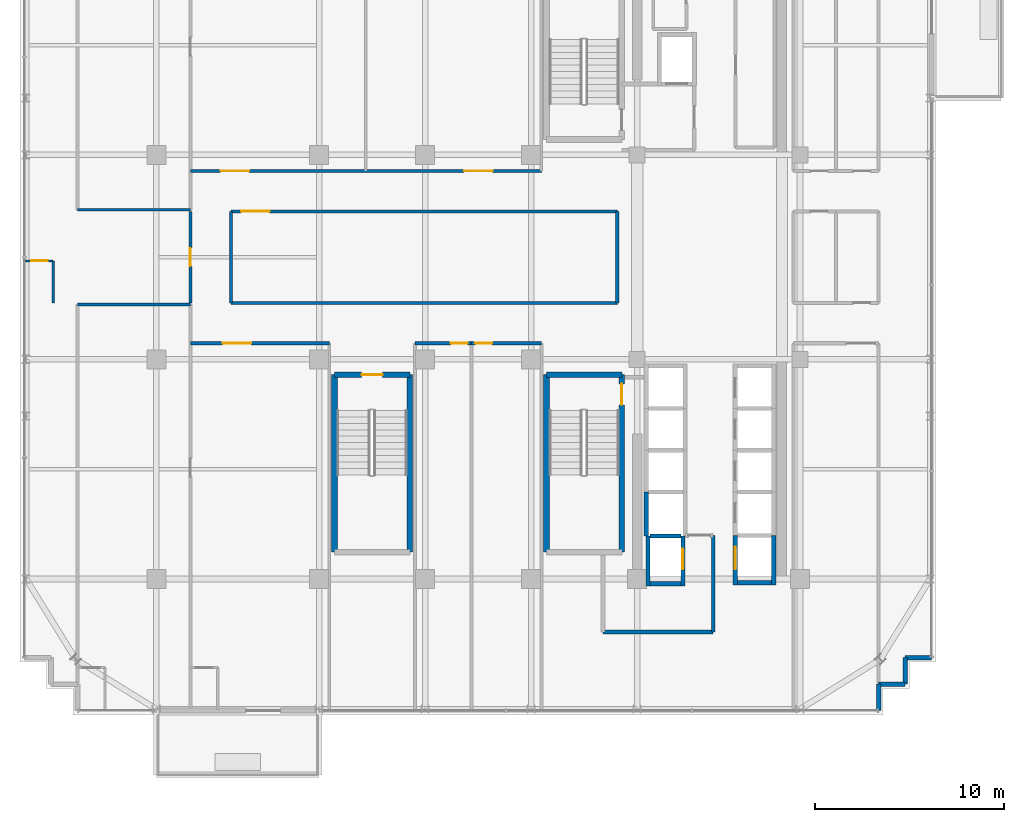
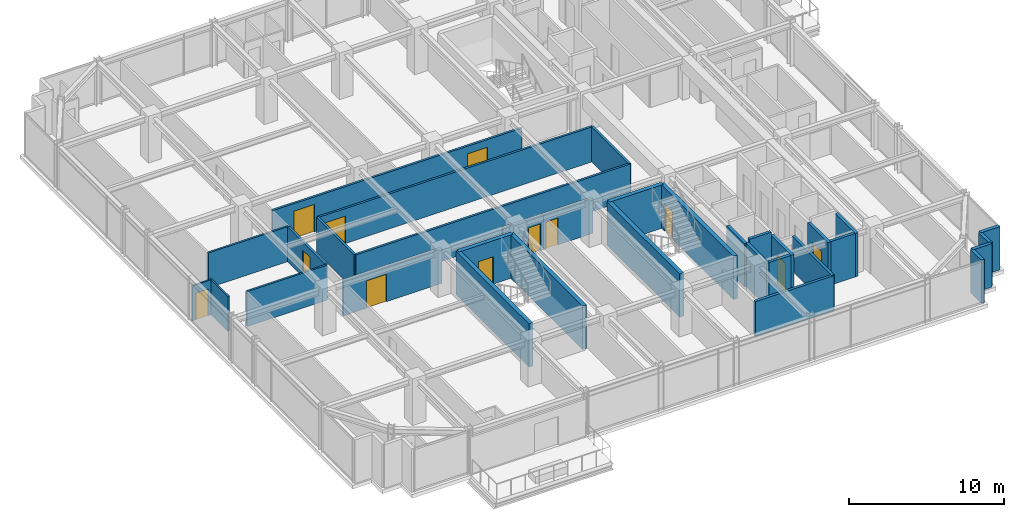
# One storey, part 28 of 34: 33 walls, 12 doors, 12 openings.
"""IFC4 building model written with IfcOpenShell, lengths in metres."""

from ifc_helpers import new_model, si_unit, direction, frame, frame_2d, origin, place, context, subcontext, project, spatial, rectangle, extrude, source, transform, mapped, material, layer, layer_set, type_object, element, fill, save


model = new_model("IFC4")

# Units and contexts
model_context = context("Model", 3, precision=1e-05, world=origin(), true_north=direction((0.0, 1.0)))
body_context = subcontext(model_context, "Body", "Model", "MODEL_VIEW")
ifc_project = project(units=[si_unit("LENGTHUNIT", "METRE"), si_unit("AREAUNIT", "SQUARE_METRE"), si_unit("VOLUMEUNIT", "CUBIC_METRE"), si_unit("PLANEANGLEUNIT", "RADIAN"), si_unit("MASSUNIT", "GRAM", prefix="KILO")], contexts=[model_context])

# Site, building, storey
site_placement = place(None, origin())
site = spatial("IfcSite", under=ifc_project, at=site_placement, CompositionType="ELEMENT")
building_placement = place(site_placement, origin())
building = spatial("IfcBuilding", under=site, at=building_placement, Name="Nahalor Promenade Grand Hotel", CompositionType="ELEMENT")
storey_placement = place(building_placement, frame((0.0, 0.0, 238.199951171875)))
storey = spatial("IfcBuildingStorey", under=building, at=storey_placement, Name="L61", CompositionType="ELEMENT", Elevation=238.199951171875)

# Wall
ifc_material_1 = material(Name="Concrete B-50 (C40/50)", Category="concrete")
ifc_layer_1 = layer(ifc_material_1, 0.300048828125)
ifc_layer_set_1 = layer_set([ifc_layer_1], Name="Concrete B-50 (C40/50)")
wall_type_1 = type_object("IfcWallType", Name="Wall-ShaftShear-300", PredefinedType="SHEAR", material=ifc_layer_set_1)
shared_shape_1 = source(origin(), body_context, "Body", "SweptSolid", [
    extrude(rectangle(XDim=3.97998046875, YDim=0.300048828125, at=frame_2d((1.989990234375, 0.0))), origin(), (0.0, 0.0, 1.0), 3.41015625),
])
wall_1_placement = place(storey_placement, frame((3.610107421875, -6.2099609375, 0.0), z_axis=(0.0, 0.0, 1.0), x_axis=(1.0, 0.0, 0.0)))
element("IfcWall", 1, at=wall_1_placement, inside=storey, type_object=wall_type_1, Name="L61 Exit Stair ST2 Shaft Wall N", PredefinedType="SHEAR", context=body_context, shape_type="MappedRepresentation", body=[
    mapped(shared_shape_1, transform((0.0, 0.0, 0.0), scale=1.0)),
])

# Wall, opening, door
wall_2_placement = place(storey_placement, frame((-7.590087890625, -6.2099609375, 0.0), z_axis=(0.0, 0.0, 1.0), x_axis=(1.0, 0.0, 0.0)))
wall_2 = element("IfcWall", 2, at=wall_2_placement, inside=storey, type_object=wall_type_1, Name="L61 Exit Stair ST3 Shaft Wall N", PredefinedType="SHEAR", context=body_context, shape_type="MappedRepresentation", body=[
    mapped(shared_shape_1, transform((0.0, 0.0, 0.0), scale=1.0)),
])
opening_1_placement = place(wall_2_placement, frame((1.43994140625, 0.0, 0.0)))
opening_1 = element("IfcOpeningElement", 3, at=opening_1_placement, cuts=wall_2, Name="Opening D-ST1", PredefinedType="OPENING", context=body_context, shape_type="SweptSolid", body=[
    extrude(rectangle(XDim=1.10009765625, YDim=2.14990234375, at=frame_2d((0.550048828125, 1.074951171875))), frame((0.0, 0.159912109375, 0.0), z_axis=(0.0, -1.0, 0.0), x_axis=(1.0, 0.0, 0.0)), (0.0, 0.0, 1.0), 0.320068359375),
])
ifc_material_2 = material(Name="Steel S355JR", Category="steel")
door_type_1 = type_object("IfcDoorType", Name="Door-StairFire-1100", OperationType="NOTDEFINED", PredefinedType="DOOR", material=ifc_material_2)
shared_shape_2 = source(origin(), body_context, "Body", "SweptSolid", [
    extrude(rectangle(XDim=1.10009765625, YDim=2.14990234375, at=frame_2d((0.550048828125, 1.074951171875))), frame((0.0, 0.02490234375, 0.0), z_axis=(0.0, -1.0, 0.0), x_axis=(1.0, 0.0, 0.0)), (0.0, 0.0, 1.0), 0.050048828125),
])
door_1_placement = place(opening_1_placement, frame((1.10009765625, 0.0, 0.0), z_axis=(0.0, 0.0, 1.0), x_axis=(-1.0, 0.0, 0.0)))
door_1 = element("IfcDoor", 4, at=door_1_placement, inside=storey, type_object=door_type_1, Name="DR-STAIR-ST3-L61", OperationType="SINGLE_SWING_RIGHT", OverallHeight=2.14990234375, OverallWidth=1.10009765625, PredefinedType="DOOR", context=body_context, shape_type="MappedRepresentation", body=[
    mapped(shared_shape_2, transform((0.0, 0.0, 0.0), scale=1.0)),
])
fill(opening_1, door_1)

# Wall
shared_shape_3 = source(origin(), body_context, "Body", "SweptSolid", [
    extrude(rectangle(XDim=9.380126953125, YDim=0.300048828125, at=frame_2d((4.68994140625, 0.0))), origin(), (0.0, 0.0, 1.0), 3.41015625),
])
wall_3_placement = place(storey_placement, frame((3.610107421875, -15.590087890625, 0.0), z_axis=(0.0, 0.0, 1.0), x_axis=(0.0, 1.0, 0.0)))
element("IfcWall", 5, at=wall_3_placement, inside=storey, type_object=wall_type_1, Name="L61 Exit Stair ST2 Shaft Wall W", PredefinedType="SHEAR", context=body_context, shape_type="MappedRepresentation", body=[
    mapped(shared_shape_3, transform((0.0, 0.0, 0.0), scale=1.0)),
])

# Wall, opening, door
wall_4_placement = place(storey_placement, frame((7.590087890625, -15.590087890625, 0.0), z_axis=(0.0, 0.0, 1.0), x_axis=(0.0, 1.0, 0.0)))
wall_4 = element("IfcWall", 6, at=wall_4_placement, inside=storey, type_object=wall_type_1, Name="L61 Exit Stair ST2 Shaft Wall E", PredefinedType="SHEAR", context=body_context, shape_type="MappedRepresentation", body=[
    mapped(shared_shape_3, transform((0.0, 0.0, 0.0), scale=1.0)),
])
opening_2_placement = place(wall_4_placement, frame((7.7900390625, 0.0, 0.0)))
opening_2 = element("IfcOpeningElement", 7, at=opening_2_placement, cuts=wall_4, Name="Opening D-ST1", PredefinedType="OPENING", context=body_context, shape_type="SweptSolid", body=[
    extrude(rectangle(XDim=1.10009765625, YDim=2.14990234375, at=frame_2d((0.550048828125, 1.074951171875))), frame((0.0, 0.159912109375, 0.0), z_axis=(0.0, -1.0, 0.0), x_axis=(1.0, 0.0, 0.0)), (0.0, 0.0, 1.0), 0.320068359375),
])
door_2_placement = place(opening_2_placement, origin())
door_2 = element("IfcDoor", 8, at=door_2_placement, inside=storey, type_object=door_type_1, Name="DR-STAIR-ST2-L61", OperationType="SINGLE_SWING_RIGHT", OverallHeight=2.14990234375, OverallWidth=1.10009765625, PredefinedType="DOOR", context=body_context, shape_type="MappedRepresentation", body=[
    mapped(shared_shape_2, transform((0.0, 0.0, 0.0), scale=1.0)),
])
fill(opening_2, door_2)

# Walls
for number, where, z_axis, x_axis, name in (
    (9, (-7.590087890625, -15.590087890625, 0.0), (0.0, 0.0, 1.0), (0.0, 1.0, 0.0), "L61 Exit Stair ST3 Shaft Wall W"),
    (10, (-3.610107421875, -15.590087890625, 0.0), (0.0, 0.0, 1.0), (0.0, 1.0, 0.0), "L61 Exit Stair ST3 Shaft Wall E"),
):
    element("IfcWall", number, at=place(storey_placement, frame(where, z_axis=z_axis, x_axis=x_axis)), inside=storey, type_object=wall_type_1, Name=name, PredefinedType="SHEAR", context=body_context, shape_type="MappedRepresentation", body=[
        mapped(shared_shape_3, transform((0.0, 0.0, 0.0), scale=1.0)),
    ])
ifc_layer_2 = layer(ifc_material_1, 0.219970703125)
ifc_layer_set_2 = layer_set([ifc_layer_2], Name="Concrete B-50 (C40/50)")
wall_type_2 = type_object("IfcWallType", Name="Wall-LiftShaft-220", PredefinedType="SHEAR", material=ifc_layer_set_2)
shared_shape_4 = source(origin(), body_context, "Body", "SweptSolid", [
    extrude(rectangle(XDim=1.820068359375, YDim=0.219970703125, at=frame_2d((0.91015625, 0.0))), origin(), (0.0, 0.0, 1.0), 3.41015625),
])
wall_5_placement = place(storey_placement, frame((13.68994140625, -17.199951171875, 0.0), z_axis=(0.0, 0.0, 1.0), x_axis=(1.0, 0.0, 0.0)))
element("IfcWall", 11, at=wall_5_placement, inside=storey, type_object=wall_type_2, Name="L61 Lift SV2 Hoistway Wall S", PredefinedType="SHEAR", context=body_context, shape_type="MappedRepresentation", body=[
    mapped(shared_shape_4, transform((0.0, 0.0, 0.0), scale=1.0)),
])
shared_shape_5 = source(origin(), body_context, "Body", "SweptSolid", [
    extrude(rectangle(XDim=2.3251953125, YDim=0.219970703125, at=frame_2d((1.16259765625, 0.0))), origin(), (0.0, 0.0, 1.0), 3.41015625),
])
wall_6_placement = place(storey_placement, frame((8.8798828125, -14.72509765625, 0.0), z_axis=(0.0, 0.0, 1.0), x_axis=(0.0, 1.0, 0.0)))
element("IfcWall", 12, at=wall_6_placement, inside=storey, type_object=wall_type_2, Name="L61 Lift PL12 Hoistway Wall W", PredefinedType="SHEAR", context=body_context, shape_type="MappedRepresentation", body=[
    mapped(shared_shape_5, transform((0.0, 0.0, 0.0), scale=1.0)),
])
shared_shape_6 = source(origin(), body_context, "Body", "SweptSolid", [
    extrude(rectangle(XDim=2.635009765625, YDim=0.219970703125, at=frame_2d((1.3173828125, 0.0))), origin(), (0.0, 0.0, 1.0), 3.41015625),
])
wall_7_placement = place(storey_placement, frame((8.97998046875, -17.360107421875, 0.0), z_axis=(0.0, 0.0, 1.0), x_axis=(0.0, 1.0, 0.0)))
element("IfcWall", 13, at=wall_7_placement, inside=storey, type_object=wall_type_2, Name="L61 Lift FL2 Hoistway Wall W", PredefinedType="SHEAR", context=body_context, shape_type="MappedRepresentation", body=[
    mapped(shared_shape_6, transform((0.0, 0.0, 0.0), scale=1.0)),
])

# Wall, opening, door
wall_8_placement = place(storey_placement, frame((10.820068359375, -17.360107421875, 0.0), z_axis=(0.0, 0.0, 1.0), x_axis=(0.0, 1.0, 0.0)))
wall_8 = element("IfcWall", 14, at=wall_8_placement, inside=storey, type_object=wall_type_2, Name="L61 Lift FL2 Hoistway Wall E", PredefinedType="SHEAR", context=body_context, shape_type="MappedRepresentation", body=[
    mapped(shared_shape_6, transform((0.0, 0.0, 0.0), scale=1.0)),
])
opening_3_placement = place(wall_8_placement, frame((0.860107421875, 0.0, 0.0)))
opening_3 = element("IfcOpeningElement", 15, at=opening_3_placement, cuts=wall_8, Name="Opening LD-02", PredefinedType="OPENING", context=body_context, shape_type="SweptSolid", body=[
    extrude(rectangle(XDim=1.10009765625, YDim=2.199951171875, at=frame_2d((0.550048828125, 1.10009765625))), frame((0.0, 0.119873046875, 0.0), z_axis=(0.0, -1.0, 0.0), x_axis=(1.0, 0.0, 0.0)), (0.0, 0.0, 1.0), 0.239990234375),
])
door_type_2 = type_object("IfcDoorType", Name="Door-LiftFF-1100", OperationType="DOUBLE_DOOR_SLIDING", PredefinedType="DOOR", material=ifc_material_2)
shared_shape_7 = source(origin(), body_context, "Body", "SweptSolid", [
    extrude(rectangle(XDim=1.10009765625, YDim=2.199951171875, at=frame_2d((0.550048828125, 1.10009765625))), frame((0.0, 0.02490234375, 0.0), z_axis=(0.0, -1.0, 0.0), x_axis=(1.0, 0.0, 0.0)), (0.0, 0.0, 1.0), 0.050048828125),
])
door_3_placement = place(opening_3_placement, frame((1.10009765625, 0.0, 0.0), z_axis=(0.0, 0.0, 1.0), x_axis=(-1.0, 0.0, 0.0)))
door_3 = element("IfcDoor", 16, at=door_3_placement, inside=storey, type_object=door_type_2, Name="DR-LIFT-FL2-L61", OperationType="DOUBLE_DOOR_SLIDING", OverallHeight=2.199951171875, OverallWidth=1.10009765625, PredefinedType="DOOR", context=body_context, shape_type="MappedRepresentation", body=[
    mapped(shared_shape_7, transform((0.0, 0.0, 0.0), scale=1.0)),
])
fill(opening_3, door_3)

# Walls
shared_shape_8 = source(origin(), body_context, "Body", "SweptSolid", [
    extrude(rectangle(XDim=1.619873046875, YDim=0.219970703125, at=frame_2d((0.81005859375, 0.0))), origin(), (0.0, 0.0, 1.0), 3.41015625),
])
wall_9_placement = place(storey_placement, frame((9.090087890625, -17.25, 0.0), z_axis=(0.0, 0.0, 1.0), x_axis=(1.0, 0.0, 0.0)))
element("IfcWall", 17, at=wall_9_placement, inside=storey, type_object=wall_type_2, Name="L61 Lift FL2 Hoistway Wall S", PredefinedType="SHEAR", context=body_context, shape_type="MappedRepresentation", body=[
    mapped(shared_shape_8, transform((0.0, 0.0, 0.0), scale=1.0)),
])
shared_shape_9 = source(origin(), body_context, "Body", "SweptSolid", [
    extrude(rectangle(XDim=1.619873046875, YDim=0.219970703125, at=frame_2d((0.81005859375, 0.0))), origin(), (0.0, 0.0, 1.0), 3.699951171875),
])
wall_10_placement = place(storey_placement, frame((9.090087890625, -14.72509765625, 0.0), z_axis=(0.0, 0.0, 1.0), x_axis=(1.0, 0.0, 0.0)))
element("IfcWall", 18, at=wall_10_placement, inside=storey, type_object=wall_type_2, Name="L61 Lift FL2 Hoistway Wall N", PredefinedType="SHEAR", context=body_context, shape_type="MappedRepresentation", body=[
    mapped(shared_shape_9, transform((0.0, 0.0, 0.0), scale=1.0)),
])

# Wall, opening, door
shared_shape_10 = source(origin(), body_context, "Body", "SweptSolid", [
    extrude(rectangle(XDim=2.610107421875, YDim=0.219970703125, at=frame_2d((1.30517578125, 0.0))), origin(), (0.0, 0.0, 1.0), 3.41015625),
])
wall_11_placement = place(storey_placement, frame((13.580078125, -17.31005859375, 0.0), z_axis=(0.0, 0.0, 1.0), x_axis=(0.0, 1.0, 0.0)))
wall_11 = element("IfcWall", 19, at=wall_11_placement, inside=storey, type_object=wall_type_2, Name="L61 Lift SV2 Hoistway Wall W", PredefinedType="SHEAR", context=body_context, shape_type="MappedRepresentation", body=[
    mapped(shared_shape_10, transform((0.0, 0.0, 0.0), scale=1.0)),
])
opening_4_placement = place(wall_11_placement, frame((0.81005859375, 0.0, 0.0)))
opening_4 = element("IfcOpeningElement", 20, at=opening_4_placement, cuts=wall_11, Name="Opening LD-03", PredefinedType="OPENING", context=body_context, shape_type="SweptSolid", body=[
    extrude(rectangle(XDim=1.199951171875, YDim=2.199951171875, at=frame_2d((0.60009765625, 1.10009765625))), frame((0.0, 0.119873046875, 0.0), z_axis=(0.0, -1.0, 0.0), x_axis=(1.0, 0.0, 0.0)), (0.0, 0.0, 1.0), 0.239990234375),
])
door_type_3 = type_object("IfcDoorType", Name="Door-LiftService-1200", OperationType="DOUBLE_DOOR_SLIDING", PredefinedType="DOOR", material=ifc_material_2)
shared_shape_11 = source(origin(), body_context, "Body", "SweptSolid", [
    extrude(rectangle(XDim=1.199951171875, YDim=2.199951171875, at=frame_2d((0.60009765625, 1.10009765625))), frame((0.0, 0.02490234375, 0.0), z_axis=(0.0, -1.0, 0.0), x_axis=(1.0, 0.0, 0.0)), (0.0, 0.0, 1.0), 0.050048828125),
])
door_4_placement = place(opening_4_placement, origin())
door_4 = element("IfcDoor", 21, at=door_4_placement, inside=storey, type_object=door_type_3, Name="DR-LIFT-SV2-L61", OperationType="DOUBLE_DOOR_SLIDING", OverallHeight=2.199951171875, OverallWidth=1.199951171875, PredefinedType="DOOR", context=body_context, shape_type="MappedRepresentation", body=[
    mapped(shared_shape_11, transform((0.0, 0.0, 0.0), scale=1.0)),
])
fill(opening_4, door_4)

# Walls
wall_12_placement = place(storey_placement, frame((15.6201171875, -17.31005859375, 0.0), z_axis=(0.0, 0.0, 1.0), x_axis=(0.0, 1.0, 0.0)))
element("IfcWall", 22, at=wall_12_placement, inside=storey, type_object=wall_type_2, Name="L61 Lift SV2 Hoistway Wall E", PredefinedType="SHEAR", context=body_context, shape_type="MappedRepresentation", body=[
    mapped(shared_shape_10, transform((0.0, 0.0, 0.0), scale=1.0)),
])
ifc_material_3 = material(Name="Concrete B-40 (C32/40)", Category="concrete")
ifc_layer_3 = layer(ifc_material_3, 0.25)
ifc_layer_set_3 = layer_set([ifc_layer_3], Name="Concrete B-40 (C32/40)")
wall_type_3 = type_object("IfcWallType", Name="Wall-BronzePier-250", PredefinedType="STANDARD", material=ifc_layer_set_3)
shared_shape_12 = source(origin(), body_context, "Body", "SweptSolid", [
    extrude(rectangle(XDim=1.39990234375, YDim=0.25, at=frame_2d((0.699951171875, 0.0))), origin(), (0.0, 0.0, 1.0), 3.41015625),
])
for number, where, z_axis, x_axis, name in (
    (23, (21.159912109375, -23.9599609375, 0.0), (0.0, 0.0, 1.0), (0.0, 1.0, 0.0), "W-L61-SR-01"),
    (24, (22.56005859375, -21.159912109375, 0.0), (0.0, 0.0, 1.0), (1.0, 0.0, 0.0), "W-L61-SR-04"),
):
    element("IfcWall", number, at=place(storey_placement, frame(where, z_axis=z_axis, x_axis=x_axis)), inside=storey, type_object=wall_type_3, Name=name, PredefinedType="STANDARD", context=body_context, shape_type="MappedRepresentation", body=[
        mapped(shared_shape_12, transform((0.0, 0.0, 0.0), scale=1.0)),
    ])
shared_shape_13 = source(origin(), body_context, "Body", "SweptSolid", [
    extrude(rectangle(XDim=1.400146484375, YDim=0.25, at=frame_2d((0.7001953125, 0.0))), origin(), (0.0, 0.0, 1.0), 3.41015625),
])
for number, where, z_axis, x_axis, name in (
    (25, (21.159912109375, -22.56005859375, 0.0), (0.0, 0.0, 1.0), (1.0, 0.0, 0.0), "W-L61-SR-02"),
    (26, (22.56005859375, -22.56005859375, 0.0), (0.0, 0.0, 1.0), (0.0, 1.0, 0.0), "W-L61-SR-03"),
):
    element("IfcWall", number, at=place(storey_placement, frame(where, z_axis=z_axis, x_axis=x_axis)), inside=storey, type_object=wall_type_3, Name=name, PredefinedType="STANDARD", context=body_context, shape_type="MappedRepresentation", body=[
        mapped(shared_shape_13, transform((0.0, 0.0, 0.0), scale=1.0)),
    ])
ifc_layer_4 = layer(ifc_material_3, 0.199951171875)
ifc_layer_set_4 = layer_set([ifc_layer_4], Name="Concrete B-40 (C32/40)")
wall_type_4 = type_object("IfcWallType", Name="Wall-PartFire-200", PredefinedType="PARTITIONING", material=ifc_layer_set_4)
shared_shape_14 = source(origin(), body_context, "Body", "SweptSolid", [
    extrude(rectangle(XDim=5.81982421875, YDim=0.199951171875, at=frame_2d((2.909912109375, 0.0))), origin(), (0.0, 0.0, 1.0), 2.75),
])
wall_13_placement = place(storey_placement, frame((6.60009765625, -19.800048828125, 0.0), z_axis=(0.0, 0.0, 1.0), x_axis=(1.0, 0.0, 0.0)))
element("IfcWall", 27, at=wall_13_placement, inside=storey, type_object=wall_type_4, Name="W-L61-FF2-S1", PredefinedType="PARTITIONING", context=body_context, shape_type="MappedRepresentation", body=[
    mapped(shared_shape_14, transform((0.0, 0.0, 0.0), scale=1.0)),
])
shared_shape_15 = source(origin(), body_context, "Body", "SweptSolid", [
    extrude(rectangle(XDim=5.10009765625, YDim=0.199951171875, at=frame_2d((2.550048828125, 0.0))), origin(), (0.0, 0.0, 1.0), 2.75),
])
wall_14_placement = place(storey_placement, frame((12.419921875, -19.800048828125, 0.0), z_axis=(0.0, 0.0, 1.0), x_axis=(0.0, 1.0, 0.0)))
element("IfcWall", 28, at=wall_14_placement, inside=storey, type_object=wall_type_4, Name="W-L61-FF2-E", PredefinedType="PARTITIONING", context=body_context, shape_type="MappedRepresentation", body=[
    mapped(shared_shape_15, transform((0.0, 0.0, 0.0), scale=1.0)),
])
ifc_material_4 = material(Name="Acoustic Mineral Gypsum", Category="gypsum")
ifc_layer_5 = layer(ifc_material_4, 0.139892578125)
ifc_layer_set_5 = layer_set([ifc_layer_5], Name="Acoustic Mineral Gypsum")
wall_type_5 = type_object("IfcWallType", Name="Wall-PartSuite-140", PredefinedType="PARTITIONING", material=ifc_layer_set_5)
shared_shape_16 = source(origin(), body_context, "Body", "SweptSolid", [
    extrude(rectangle(XDim=5.9599609375, YDim=0.139892578125, at=frame_2d((2.97998046875, 0.0))), origin(), (0.0, 0.0, 1.0), 2.75),
])
for number, where, z_axis, x_axis, name in (
    (29, (-21.159912109375, 2.5, 0.0), (0.0, 0.0, 1.0), (1.0, 0.0, 0.0), "W-L61-ZNW-S"),
    (30, (-21.159912109375, -2.5, 0.0), (0.0, 0.0, 1.0), (1.0, 0.0, 0.0), "W-L61-ZSW-N"),
):
    element("IfcWall", number, at=place(storey_placement, frame(where, z_axis=z_axis, x_axis=x_axis)), inside=storey, type_object=wall_type_5, Name=name, PredefinedType="PARTITIONING", context=body_context, shape_type="MappedRepresentation", body=[
        mapped(shared_shape_16, transform((0.0, 0.0, 0.0), scale=1.0)),
    ])

# Wall, opening, door
ifc_layer_6 = layer(ifc_material_4, 0.1201171875)
ifc_layer_set_6 = layer_set([ifc_layer_6], Name="Acoustic Mineral Gypsum")
wall_type_6 = type_object("IfcWallType", Name="Wall-PartBath-120", PredefinedType="PARTITIONING", material=ifc_layer_set_6)
shared_shape_17 = source(origin(), body_context, "Body", "SweptSolid", [
    extrude(rectangle(XDim=1.449951171875, YDim=0.1201171875, at=frame_2d((0.72509765625, 0.0))), origin(), (0.0, 0.0, 1.0), 2.75),
])
wall_15_placement = place(storey_placement, frame((-23.89990234375, -0.199951171875, 0.0), z_axis=(0.0, 0.0, 1.0), x_axis=(1.0, 0.0, 0.0)))
wall_15 = element("IfcWall", 31, at=wall_15_placement, inside=storey, type_object=wall_type_6, Name="W-L61-W1-BH", PredefinedType="PARTITIONING", context=body_context, shape_type="MappedRepresentation", body=[
    mapped(shared_shape_17, transform((0.0, 0.0, 0.0), scale=1.0)),
])
opening_5_placement = place(wall_15_placement, frame((0.284912109375, 0.0, 0.0)))
opening_5 = element("IfcOpeningElement", 32, at=opening_5_placement, cuts=wall_15, Name="Opening D-03", PredefinedType="OPENING", context=body_context, shape_type="SweptSolid", body=[
    extrude(rectangle(XDim=0.8798828125, YDim=2.10009765625, at=frame_2d((0.43994140625, 1.050048828125))), frame((0.0, 0.070068359375, 0.0), z_axis=(0.0, -1.0, 0.0), x_axis=(1.0, 0.0, 0.0)), (0.0, 0.0, 1.0), 0.14013671875),
])
ifc_material_5 = material(Name="Fire-Rated Timber Composite", Category="wood")
door_type_4 = type_object("IfcDoorType", Name="Door-BathSwing-880", OperationType="NOTDEFINED", PredefinedType="DOOR", material=ifc_material_5)
shared_shape_18 = source(origin(), body_context, "Body", "SweptSolid", [
    extrude(rectangle(XDim=0.8798828125, YDim=2.10009765625, at=frame_2d((0.43994140625, 1.050048828125))), frame((0.0, 0.02490234375, 0.0), z_axis=(0.0, -1.0, 0.0), x_axis=(1.0, 0.0, 0.0)), (0.0, 0.0, 1.0), 0.050048828125),
])
door_5_placement = place(opening_5_placement, frame((0.8798828125, 0.0, 0.0), z_axis=(0.0, 0.0, 1.0), x_axis=(-1.0, 0.0, 0.0)))
door_5 = element("IfcDoor", 33, at=door_5_placement, inside=storey, type_object=door_type_4, Name="DR-L61-W1-BATH", OperationType="SINGLE_SWING_LEFT", OverallHeight=2.10009765625, OverallWidth=0.8798828125, PredefinedType="DOOR", context=body_context, shape_type="MappedRepresentation", body=[
    mapped(shared_shape_18, transform((0.0, 0.0, 0.0), scale=1.0)),
])
fill(opening_5, door_5)

# Wall
shared_shape_19 = source(origin(), body_context, "Body", "SweptSolid", [
    extrude(rectangle(XDim=2.219970703125, YDim=0.1201171875, at=frame_2d((1.10986328125, 0.0))), origin(), (0.0, 0.0, 1.0), 2.75),
])
wall_16_placement = place(storey_placement, frame((-22.449951171875, -2.419921875, 0.0), z_axis=(0.0, 0.0, 1.0), x_axis=(0.0, 1.0, 0.0)))
element("IfcWall", 34, at=wall_16_placement, inside=storey, type_object=wall_type_6, Name="W-L61-W1-BV", PredefinedType="PARTITIONING", context=body_context, shape_type="MappedRepresentation", body=[
    mapped(shared_shape_19, transform((0.0, 0.0, 0.0), scale=1.0)),
])

# Wall, openings, doors
ifc_layer_7 = layer(ifc_material_4, 0.159912109375)
ifc_layer_set_7 = layer_set([ifc_layer_7], Name="Acoustic Mineral Gypsum")
wall_type_7 = type_object("IfcWallType", Name="Wall-PartCorridor-160", PredefinedType="PARTITIONING", material=ifc_layer_set_7)
shared_shape_20 = source(origin(), body_context, "Body", "SweptSolid", [
    extrude(rectangle(XDim=18.5400390625, YDim=0.159912109375, at=frame_2d((9.27001953125, 0.0))), origin(), (0.0, 0.0, 1.0), 2.75),
])
wall_17_placement = place(storey_placement, frame((-15.199951171875, 4.550048828125, 0.0), z_axis=(0.0, 0.0, 1.0), x_axis=(1.0, 0.0, 0.0)))
wall_17 = element("IfcWall", 35, at=wall_17_placement, inside=storey, type_object=wall_type_7, Name="W-L61-CORR-N", PredefinedType="PARTITIONING", context=body_context, shape_type="MappedRepresentation", body=[
    mapped(shared_shape_20, transform((0.0, 0.0, 0.0), scale=1.0)),
])
opening_6_placement = place(wall_17_placement, frame((1.59912109375, 0.0, 0.0)))
opening_6 = element("IfcOpeningElement", 36, at=opening_6_placement, cuts=wall_17, Name="Opening D-02", PredefinedType="OPENING", context=body_context, shape_type="SweptSolid", body=[
    extrude(rectangle(XDim=1.5, YDim=2.14990234375, at=frame_2d((0.75, 1.074951171875))), frame((0.0, 0.08984375, 0.0), z_axis=(0.0, -1.0, 0.0), x_axis=(1.0, 0.0, 0.0)), (0.0, 0.0, 1.0), 0.179931640625),
])
opening_7_placement = place(wall_17_placement, frame((14.4609375, 0.0, 0.0)))
opening_7 = element("IfcOpeningElement", 37, at=opening_7_placement, cuts=wall_17, Name="Opening D-02", PredefinedType="OPENING", context=body_context, shape_type="SweptSolid", body=[
    extrude(rectangle(XDim=1.5, YDim=2.14990234375, at=frame_2d((0.75, 1.074951171875))), frame((0.0, 0.08984375, 0.0), z_axis=(0.0, -1.0, 0.0), x_axis=(1.0, 0.0, 0.0)), (0.0, 0.0, 1.0), 0.179931640625),
])
door_type_5 = type_object("IfcDoorType", Name="Door-SuiteDouble-1500", OperationType="DOUBLE_DOOR_SINGLE_SWING", PredefinedType="DOOR", material=ifc_material_5)
shared_shape_21 = source(origin(), body_context, "Body", "SweptSolid", [
    extrude(rectangle(XDim=1.5, YDim=2.14990234375, at=frame_2d((0.75, 1.074951171875))), frame((0.0, 0.02490234375, 0.0), z_axis=(0.0, -1.0, 0.0), x_axis=(1.0, 0.0, 0.0)), (0.0, 0.0, 1.0), 0.050048828125),
])
door_6_placement = place(opening_6_placement, origin())
door_6 = element("IfcDoor", 38, at=door_6_placement, inside=storey, type_object=door_type_5, Name="DR-L61-N1-ENT", OperationType="DOUBLE_DOOR_SINGLE_SWING", OverallHeight=2.14990234375, OverallWidth=1.5, PredefinedType="DOOR", context=body_context, shape_type="MappedRepresentation", body=[
    mapped(shared_shape_21, transform((0.0, 0.0, 0.0), scale=1.0)),
])
fill(opening_6, door_6)
door_7_placement = place(opening_7_placement, origin())
door_7 = element("IfcDoor", 39, at=door_7_placement, inside=storey, type_object=door_type_5, Name="DR-L61-N2-ENT", OperationType="DOUBLE_DOOR_SINGLE_SWING", OverallHeight=2.14990234375, OverallWidth=1.5, PredefinedType="DOOR", context=body_context, shape_type="MappedRepresentation", body=[
    mapped(shared_shape_21, transform((0.0, 0.0, 0.0), scale=1.0)),
])
fill(opening_7, door_7)

# Wall, opening, door
shared_shape_22 = source(origin(), body_context, "Body", "SweptSolid", [
    extrude(rectangle(XDim=7.33984375, YDim=0.159912109375, at=frame_2d((3.669921875, 0.0))), origin(), (0.0, 0.0, 1.0), 2.75),
])
wall_18_placement = place(storey_placement, frame((-15.199951171875, -4.550048828125, 0.0), z_axis=(0.0, 0.0, 1.0), x_axis=(1.0, 0.0, 0.0)))
wall_18 = element("IfcWall", 40, at=wall_18_placement, inside=storey, type_object=wall_type_7, Name="W-L61-CORR-S", PredefinedType="PARTITIONING", context=body_context, shape_type="MappedRepresentation", body=[
    mapped(shared_shape_22, transform((0.0, 0.0, 0.0), scale=1.0)),
])
opening_8_placement = place(wall_18_placement, frame((1.70703125, 0.0, 0.0)))
opening_8 = element("IfcOpeningElement", 41, at=opening_8_placement, cuts=wall_18, Name="Opening D-02", PredefinedType="OPENING", context=body_context, shape_type="SweptSolid", body=[
    extrude(rectangle(XDim=1.5, YDim=2.14990234375, at=frame_2d((0.75, 1.074951171875))), frame((0.0, 0.08984375, 0.0), z_axis=(0.0, -1.0, 0.0), x_axis=(1.0, 0.0, 0.0)), (0.0, 0.0, 1.0), 0.179931640625),
])
door_8_placement = place(opening_8_placement, frame((1.5, 0.0, 0.0), z_axis=(0.0, 0.0, 1.0), x_axis=(-1.0, 0.0, 0.0)))
door_8 = element("IfcDoor", 42, at=door_8_placement, inside=storey, type_object=door_type_5, Name="DR-L61-S1-ENT", OperationType="DOUBLE_DOOR_SINGLE_SWING", OverallHeight=2.14990234375, OverallWidth=1.5, PredefinedType="DOOR", context=body_context, shape_type="MappedRepresentation", body=[
    mapped(shared_shape_21, transform((0.0, 0.0, 0.0), scale=1.0)),
])
fill(opening_8, door_8)

shared_shape_23 = source(origin(), body_context, "Body", "SweptSolid", [
    extrude(rectangle(XDim=4.83984375, YDim=0.159912109375, at=frame_2d((2.419921875, 0.0))), origin(), (0.0, 0.0, 1.0), 2.75),
])
wall_19_placement = place(storey_placement, frame((-15.199951171875, -2.419921875, 0.0), z_axis=(0.0, 0.0, 1.0), x_axis=(0.0, 1.0, 0.0)))
wall_19 = element("IfcWall", 43, at=wall_19_placement, inside=storey, type_object=wall_type_7, Name="W-L61-WEST-E", PredefinedType="PARTITIONING", context=body_context, shape_type="MappedRepresentation", body=[
    mapped(shared_shape_23, transform((0.0, 0.0, 0.0), scale=1.0)),
])
opening_9_placement = place(wall_19_placement, frame((1.945068359375, 0.0, 0.0)))
opening_9 = element("IfcOpeningElement", 44, at=opening_9_placement, cuts=wall_19, Name="Opening D-01", PredefinedType="OPENING", context=body_context, shape_type="SweptSolid", body=[
    extrude(rectangle(XDim=0.949951171875, YDim=2.10009765625, at=frame_2d((0.47509765625, 1.050048828125))), frame((0.0, 0.08984375, 0.0), z_axis=(0.0, -1.0, 0.0), x_axis=(1.0, 0.0, 0.0)), (0.0, 0.0, 1.0), 0.179931640625),
])
door_type_6 = type_object("IfcDoorType", Name="Door-GuestEntry-950", OperationType="NOTDEFINED", PredefinedType="DOOR", material=ifc_material_5)
shared_shape_24 = source(origin(), body_context, "Body", "SweptSolid", [
    extrude(rectangle(XDim=0.949951171875, YDim=2.10009765625, at=frame_2d((0.47509765625, 1.050048828125))), frame((0.0, 0.02490234375, 0.0), z_axis=(0.0, -1.0, 0.0), x_axis=(1.0, 0.0, 0.0)), (0.0, 0.0, 1.0), 0.050048828125),
])
door_9_placement = place(opening_9_placement, origin())
door_9 = element("IfcDoor", 45, at=door_9_placement, inside=storey, type_object=door_type_6, Name="DR-L61-W1-ENT", OperationType="SINGLE_SWING_RIGHT", OverallHeight=2.10009765625, OverallWidth=0.949951171875, PredefinedType="DOOR", context=body_context, shape_type="MappedRepresentation", body=[
    mapped(shared_shape_24, transform((0.0, 0.0, 0.0), scale=1.0)),
])
fill(opening_9, door_9)

# Walls
for number, where, z_axis, x_axis, name in (
    (46, (-13.050048828125, -2.419921875, 0.0), (0.0, 0.0, 1.0), (0.0, 1.0, 0.0), "W-L61-CM1-W"),
    (47, (7.35009765625, -2.419921875, 0.0), (0.0, 0.0, 1.0), (0.0, 1.0, 0.0), "W-L61-CM1-E"),
):
    element("IfcWall", number, at=place(storey_placement, frame(where, z_axis=z_axis, x_axis=x_axis)), inside=storey, type_object=wall_type_7, Name=name, PredefinedType="PARTITIONING", context=body_context, shape_type="MappedRepresentation", body=[
        mapped(shared_shape_23, transform((0.0, 0.0, 0.0), scale=1.0)),
    ])

# Wall, opening, door
shared_shape_25 = source(origin(), body_context, "Body", "SweptSolid", [
    extrude(rectangle(XDim=2.989990234375, YDim=0.159912109375, at=frame_2d((1.4951171875, 0.0))), origin(), (0.0, 0.0, 1.0), 2.75),
])
wall_20_placement = place(storey_placement, frame((-3.340087890625, -4.550048828125, 0.0), z_axis=(0.0, 0.0, 1.0), x_axis=(1.0, 0.0, 0.0)))
wall_20 = element("IfcWall", 48, at=wall_20_placement, inside=storey, type_object=wall_type_7, Name="W-L61-SCB1-N", PredefinedType="PARTITIONING", context=body_context, shape_type="MappedRepresentation", body=[
    mapped(shared_shape_25, transform((0.0, 0.0, 0.0), scale=1.0)),
])
opening_10_placement = place(wall_20_placement, frame((1.89990234375, 0.0, 0.0)))
opening_10 = element("IfcOpeningElement", 49, at=opening_10_placement, cuts=wall_20, Name="Opening D-03", PredefinedType="OPENING", context=body_context, shape_type="SweptSolid", body=[
    extrude(rectangle(XDim=0.8798828125, YDim=2.10009765625, at=frame_2d((0.43994140625, 1.050048828125))), frame((0.0, 0.08984375, 0.0), z_axis=(0.0, -1.0, 0.0), x_axis=(1.0, 0.0, 0.0)), (0.0, 0.0, 1.0), 0.179931640625),
])
door_10_placement = place(opening_10_placement, frame((0.8798828125, 0.0, 0.0), z_axis=(0.0, 0.0, 1.0), x_axis=(-1.0, 0.0, 0.0)))
door_10 = element("IfcDoor", 50, at=door_10_placement, inside=storey, type_object=door_type_4, Name="DR-L61-SCB1", OperationType="SINGLE_SWING_LEFT", OverallHeight=2.10009765625, OverallWidth=0.8798828125, PredefinedType="DOOR", context=body_context, shape_type="MappedRepresentation", body=[
    mapped(shared_shape_18, transform((0.0, 0.0, 0.0), scale=1.0)),
])
fill(opening_10, door_10)

shared_shape_26 = source(origin(), body_context, "Body", "SweptSolid", [
    extrude(rectangle(XDim=3.690185546875, YDim=0.159912109375, at=frame_2d((1.84521484375, 0.0))), origin(), (0.0, 0.0, 1.0), 2.75),
])
wall_21_placement = place(storey_placement, frame((-0.35009765625, -4.550048828125, 0.0), z_axis=(0.0, 0.0, 1.0), x_axis=(1.0, 0.0, 0.0)))
wall_21 = element("IfcWall", 51, at=wall_21_placement, inside=storey, type_object=wall_type_7, Name="W-L61-SCB2-N", PredefinedType="PARTITIONING", context=body_context, shape_type="MappedRepresentation", body=[
    mapped(shared_shape_26, transform((0.0, 0.0, 0.0), scale=1.0)),
])
opening_11_placement = place(wall_21_placement, frame((0.2099609375, 0.0, 0.0)))
opening_11 = element("IfcOpeningElement", 52, at=opening_11_placement, cuts=wall_21, Name="Opening D-03", PredefinedType="OPENING", context=body_context, shape_type="SweptSolid", body=[
    extrude(rectangle(XDim=0.8798828125, YDim=2.10009765625, at=frame_2d((0.43994140625, 1.050048828125))), frame((0.0, 0.08984375, 0.0), z_axis=(0.0, -1.0, 0.0), x_axis=(1.0, 0.0, 0.0)), (0.0, 0.0, 1.0), 0.179931640625),
])
door_11_placement = place(opening_11_placement, frame((0.8798828125, 0.0, 0.0), z_axis=(0.0, 0.0, 1.0), x_axis=(-1.0, 0.0, 0.0)))
door_11 = element("IfcDoor", 53, at=door_11_placement, inside=storey, type_object=door_type_4, Name="DR-L61-SCB2", OperationType="SINGLE_SWING_RIGHT", OverallHeight=2.10009765625, OverallWidth=0.8798828125, PredefinedType="DOOR", context=body_context, shape_type="MappedRepresentation", body=[
    mapped(shared_shape_18, transform((0.0, 0.0, 0.0), scale=1.0)),
])
fill(opening_11, door_11)

# Wall
shared_shape_27 = source(origin(), body_context, "Body", "SweptSolid", [
    extrude(rectangle(XDim=20.400146484375, YDim=0.159912109375, at=frame_2d((10.2001953125, 0.0))), origin(), (0.0, 0.0, 1.0), 2.75),
])
wall_22_placement = place(storey_placement, frame((-13.050048828125, -2.419921875, 0.0), z_axis=(0.0, 0.0, 1.0), x_axis=(1.0, 0.0, 0.0)))
element("IfcWall", 54, at=wall_22_placement, inside=storey, type_object=wall_type_7, Name="W-L61-CM1-S", PredefinedType="PARTITIONING", context=body_context, shape_type="MappedRepresentation", body=[
    mapped(shared_shape_27, transform((0.0, 0.0, 0.0), scale=1.0)),
])

# Wall, opening, door
wall_23_placement = place(storey_placement, frame((-13.050048828125, 2.419921875, 0.0), z_axis=(0.0, 0.0, 1.0), x_axis=(1.0, 0.0, 0.0)))
wall_23 = element("IfcWall", 55, at=wall_23_placement, inside=storey, type_object=wall_type_7, Name="W-L61-CM1-N", PredefinedType="PARTITIONING", context=body_context, shape_type="MappedRepresentation", body=[
    mapped(shared_shape_27, transform((0.0, 0.0, 0.0), scale=1.0)),
])
opening_12_placement = place(wall_23_placement, frame((0.534912109375, 0.0, 0.0)))
opening_12 = element("IfcOpeningElement", 56, at=opening_12_placement, cuts=wall_23, Name="Opening D-02", PredefinedType="OPENING", context=body_context, shape_type="SweptSolid", body=[
    extrude(rectangle(XDim=1.5, YDim=2.14990234375, at=frame_2d((0.75, 1.074951171875))), frame((0.0, 0.08984375, 0.0), z_axis=(0.0, -1.0, 0.0), x_axis=(1.0, 0.0, 0.0)), (0.0, 0.0, 1.0), 0.179931640625),
])
door_12_placement = place(opening_12_placement, frame((1.5, 0.0, 0.0), z_axis=(0.0, 0.0, 1.0), x_axis=(-1.0, 0.0, 0.0)))
door_12 = element("IfcDoor", 57, at=door_12_placement, inside=storey, type_object=door_type_5, Name="DR-L61-CM1", OperationType="DOUBLE_DOOR_SINGLE_SWING", OverallHeight=2.14990234375, OverallWidth=1.5, PredefinedType="DOOR", context=body_context, shape_type="MappedRepresentation", body=[
    mapped(shared_shape_21, transform((0.0, 0.0, 0.0), scale=1.0)),
])
fill(opening_12, door_12)

save(model, "model.ifc")
